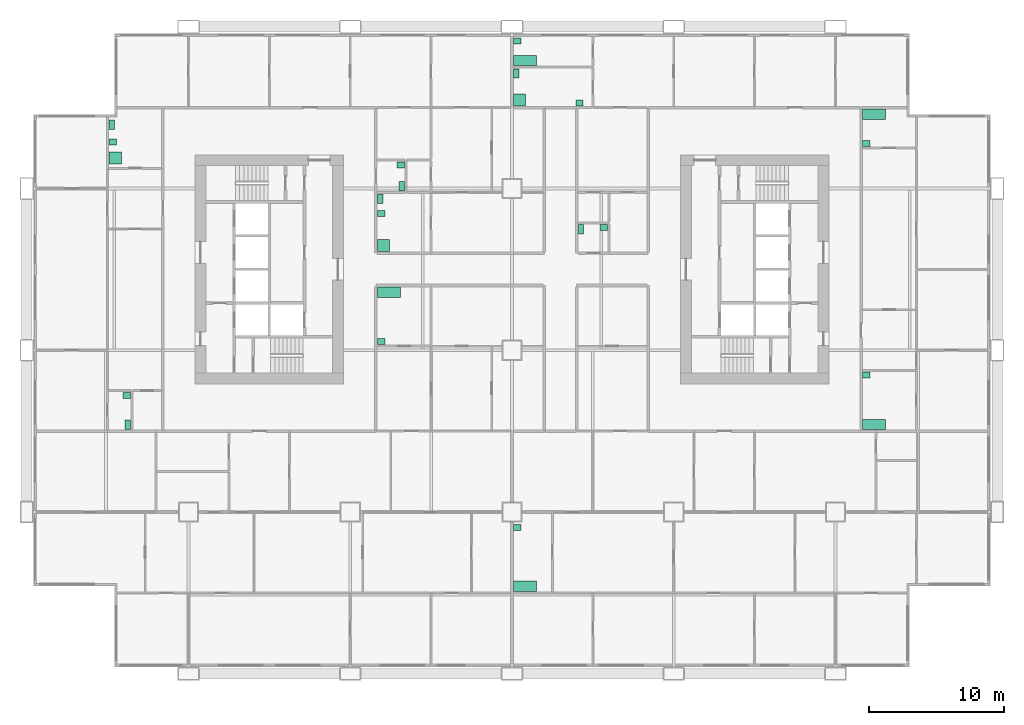
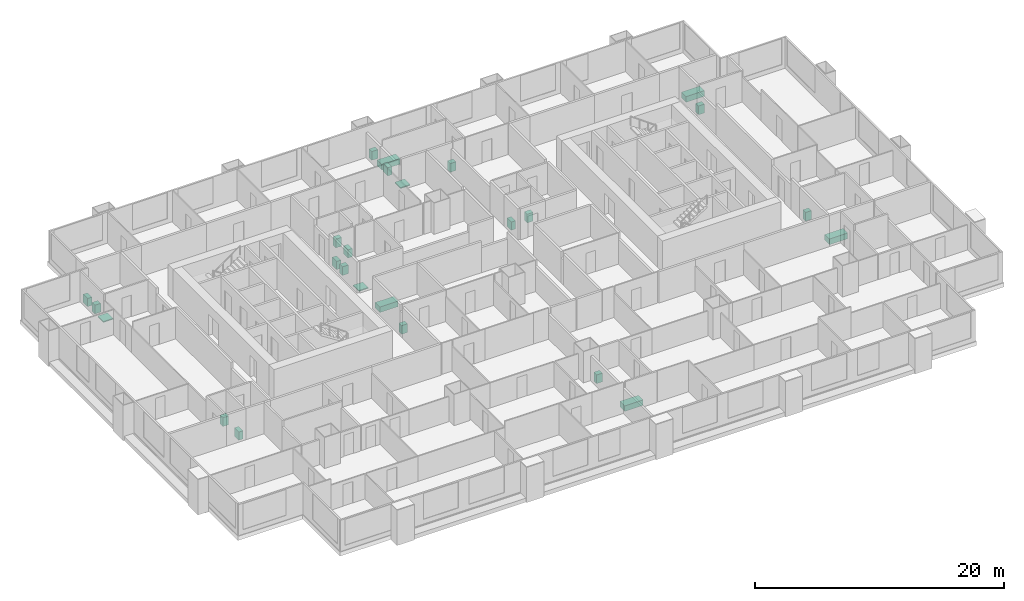
# One storey, part 13 of 13: 25 sanitary terminals.
"""IFC4 building model written with IfcOpenShell, lengths in metres."""

from ifc_helpers import new_model, si_unit, direction, frame, origin, origin_2d, place, context, subcontext, project, spatial, rectangle, extrude, material, type_object, element, save


model = new_model("IFC4")

# Units and contexts
model_context = context("Model", 3, precision=1e-05, world=origin(), true_north=direction((0.0, 1.0)))
body_context = subcontext(model_context, "Body", "Model", "MODEL_VIEW")
ifc_project = project(units=[si_unit("LENGTHUNIT", "METRE"), si_unit("AREAUNIT", "SQUARE_METRE"), si_unit("VOLUMEUNIT", "CUBIC_METRE"), si_unit("PLANEANGLEUNIT", "RADIAN"), si_unit("MASSUNIT", "GRAM", prefix="KILO")], contexts=[model_context])

# Site, building, storey
site_placement = place(None, origin())
site = spatial("IfcSite", under=ifc_project, at=site_placement, CompositionType="ELEMENT")
building_placement = place(site_placement, origin())
building = spatial("IfcBuilding", under=site, at=building_placement, Name="Kitamizu Gate Tower and Museum", CompositionType="ELEMENT")
storey_placement = place(building_placement, frame((0.0, 0.0, 88.64990234375)))
storey = spatial("IfcBuildingStorey", under=building, at=storey_placement, Name="L22", CompositionType="ELEMENT", Elevation=88.64990234375)

# Sanitary terminals
ifc_material_1 = material(Name="Acrylic")
sanitary_terminal_type_1 = type_object("IfcSanitaryTerminalType", Name="Bath", PredefinedType="BATH", material=ifc_material_1)
for number, where, z_axis, x_axis, name in (
    (1, (26.8701171875, 28.304931640625, 0.0009765625), (0.0, 0.0, 1.0), (1.0, 0.0, 0.0), "Bath Bathroom and WC 22A"),
    (2, (36.969970703125, 6.4951171875, 0.0009765625), (0.0, 0.0, 1.0), (1.0, 0.0, 0.0), "Bath Bathroom and WC 22D"),
    (3, (62.8701171875, 18.4951171875, 0.0009765625), (0.0, 0.0, 1.0), (1.0, 0.0, 0.0), "Bath Bathroom 22E"),
    (4, (62.8701171875, 41.5048828125, 0.0009765625), (0.0, 0.0, 1.0), (1.0, 0.0, 0.0), "Bath Bathroom and WC 22E"),
    (5, (36.969970703125, 45.4951171875, 0.0009765625), (0.0, 0.0, 1.0), (1.0, 0.0, 0.0), "Bath Bathroom 22F"),
):
    element("IfcSanitaryTerminal", number, at=place(storey_placement, frame(where, z_axis=z_axis, x_axis=x_axis)), inside=storey, type_object=sanitary_terminal_type_1, Name=name, PredefinedType="BATH", context=body_context, shape_type="SweptSolid", body=[
        extrude(rectangle(XDim=1.699951171875, YDim=0.75, at=origin_2d()), origin(), (0.0, 0.0, 1.0), 0.550048828125),
    ])
ifc_material_2 = material(Name="Acrylic")
sanitary_terminal_type_2 = type_object("IfcSanitaryTerminalType", Name="Shower tray", PredefinedType="SHOWER", material=ifc_material_2)
for number, where, z_axis, x_axis, name in (
    (6, (6.570068359375, 38.27001953125, 0.0009765625), (0.0, 0.0, 1.0), (1.0, 0.0, 0.0), "Shower tray En-suite bathroom 22B"),
    (7, (26.469970703125, 31.77001953125, 0.0009765625), (0.0, 0.0, 1.0), (1.0, 0.0, 0.0), "Shower tray En-suite bathroom 22C"),
    (8, (36.570068359375, 42.570068359375, 0.0009765625), (0.0, 0.0, 1.0), (1.0, 0.0, 0.0), "Shower tray En-suite bathroom 22F"),
):
    element("IfcSanitaryTerminal", number, at=place(storey_placement, frame(where, z_axis=z_axis, x_axis=x_axis)), inside=storey, type_object=sanitary_terminal_type_2, Name=name, PredefinedType="SHOWER", context=body_context, shape_type="SweptSolid", body=[
        extrude(rectangle(XDim=0.89990234375, YDim=0.89990234375, at=origin_2d()), origin(), (0.0, 0.0, 1.0), 0.10009765625),
    ])
ifc_material_3 = material(Name="Vitreous china")
sanitary_terminal_type_3 = type_object("IfcSanitaryTerminalType", Name="Wash hand basin", PredefinedType="WASHHANDBASIN", material=ifc_material_3)
for number, where, z_axis, x_axis, name in (
    (9, (26.294921875, 24.64501953125, 0.0009765625), (0.0, 0.0, 1.0), (1.0, 0.0, 0.0), "Wash hand basin Bathroom and WC 22A"),
    (10, (7.405029296875, 20.655029296875, 0.0009765625), (0.0, 0.0, 1.0), (1.0, 0.0, 0.0), "Wash hand basin WC 22B"),
    (11, (6.39501953125, 39.445068359375, 0.0009765625), (0.0, 0.0, 1.0), (1.0, 0.0, 0.0), "Wash hand basin En-suite bathroom 22B"),
    (12, (27.7548828125, 37.7548828125, 0.0009765625), (0.0, 0.0, 1.0), (1.0, 0.0, 0.0), "Wash hand basin WC 22C"),
    (13, (26.294921875, 34.155029296875, 0.0009765625), (0.0, 0.0, 1.0), (1.0, 0.0, 0.0), "Wash hand basin En-suite bathroom 22C"),
    (14, (36.39501953125, 10.85498046875, 0.0009765625), (0.0, 0.0, 1.0), (1.0, 0.0, 0.0), "Wash hand basin Bathroom and WC 22D"),
    (15, (62.294921875, 22.155029296875, 0.0009765625), (0.0, 0.0, 1.0), (1.0, 0.0, 0.0), "Wash hand basin Bathroom 22E"),
    (16, (62.294921875, 39.344970703125, 0.0009765625), (0.0, 0.0, 1.0), (1.0, 0.0, 0.0), "Wash hand basin Bathroom and WC 22E"),
    (17, (41.0048828125, 42.344970703125, 0.0009765625), (0.0, 0.0, 1.0), (1.0, 0.0, 0.0), "Wash hand basin En-suite bathroom 22F"),
    (18, (36.39501953125, 46.93505859375, 0.0009765625), (0.0, 0.0, 1.0), (1.0, 0.0, 0.0), "Wash hand basin Bathroom 22F"),
    (19, (42.804931640625, 33.10498046875, 0.0009765625), (0.0, 0.0, 1.0), (1.0, 0.0, 0.0), "Wash hand basin WC 22F"),
):
    element("IfcSanitaryTerminal", number, at=place(storey_placement, frame(where, z_axis=z_axis, x_axis=x_axis)), inside=storey, type_object=sanitary_terminal_type_3, Name=name, PredefinedType="WASHHANDBASIN", context=body_context, shape_type="SweptSolid", body=[
        extrude(rectangle(XDim=0.550048828125, YDim=0.449951171875, at=origin_2d()), origin(), (0.0, 0.0, 1.0), 0.85009765625),
    ])
ifc_material_4 = material(Name="Vitreous china")
sanitary_terminal_type_4 = type_object("IfcSanitaryTerminalType", Name="Water closet", PredefinedType="TOILETPAN", material=ifc_material_4)
for number, where, z_axis, x_axis, name in (
    (20, (7.47998046875, 18.469970703125, 0.0009765625), (0.0, 0.0, 1.0), (1.0, 0.0, 0.0), "Water closet WC 22B"),
    (21, (6.320068359375, 40.72998046875, 0.0009765625), (0.0, 0.0, 1.0), (1.0, 0.0, 0.0), "Water closet En-suite bathroom 22B"),
    (22, (27.830078125, 36.169921875, 0.0009765625), (0.0, 0.0, 1.0), (1.0, 0.0, 0.0), "Water closet WC 22C"),
    (23, (26.219970703125, 35.22998046875, 0.0009765625), (0.0, 0.0, 1.0), (1.0, 0.0, 0.0), "Water closet En-suite bathroom 22C"),
    (24, (36.320068359375, 44.530029296875, 0.0009765625), (0.0, 0.0, 1.0), (1.0, 0.0, 0.0), "Water closet En-suite bathroom 22F"),
    (25, (41.1201171875, 32.97998046875, 0.0009765625), (0.0, 0.0, 1.0), (1.0, 0.0, 0.0), "Water closet WC 22F"),
):
    element("IfcSanitaryTerminal", number, at=place(storey_placement, frame(where, z_axis=z_axis, x_axis=x_axis)), inside=storey, type_object=sanitary_terminal_type_4, Name=name, PredefinedType="TOILETPAN", context=body_context, shape_type="SweptSolid", body=[
        extrude(rectangle(XDim=0.39990234375, YDim=0.699951171875, at=origin_2d()), origin(), (0.0, 0.0, 1.0), 0.800048828125),
    ])

save(model, "model.ifc")
